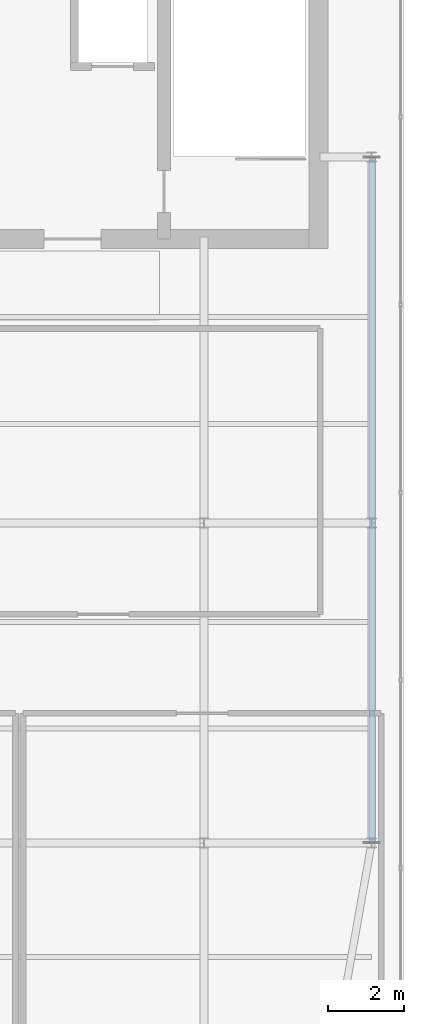
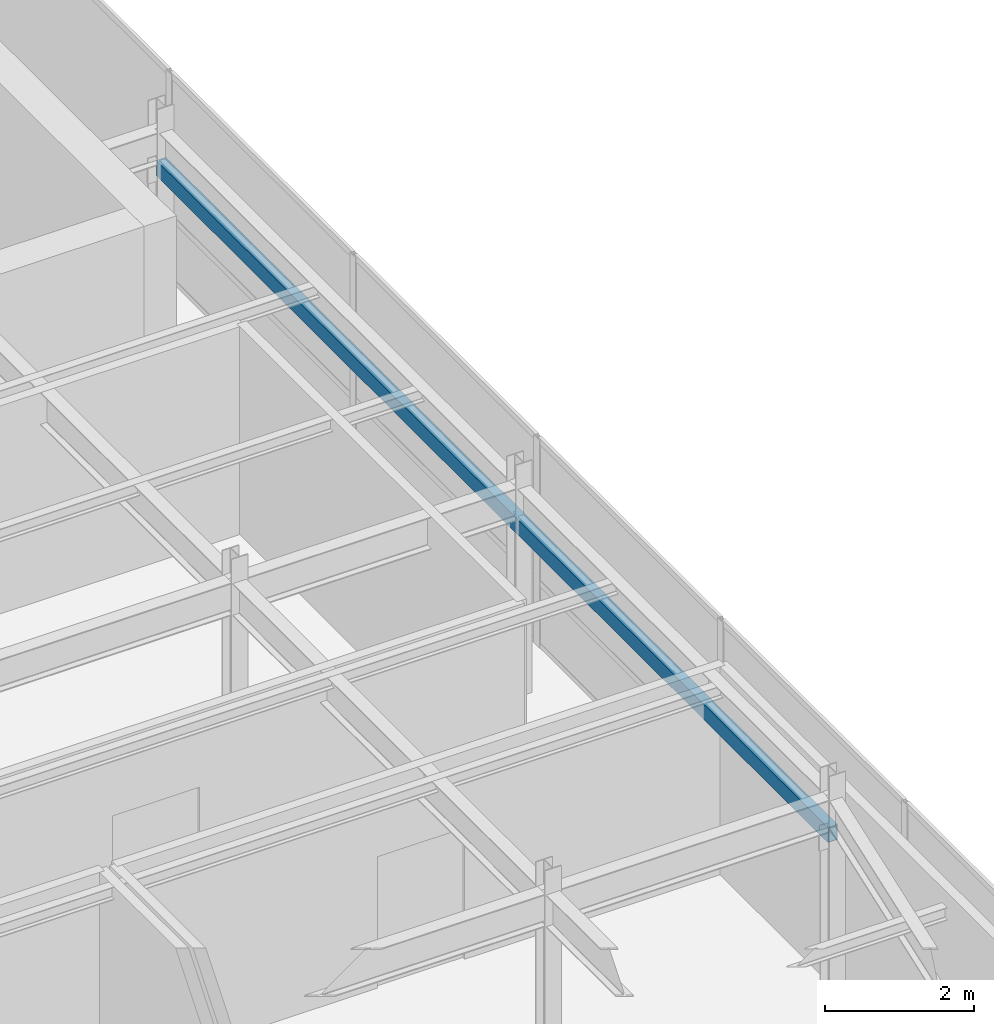
# One storey, part 23 of 35: 1 member.
"""IFC4 building model written with IfcOpenShell, lengths in metres."""

from ifc_helpers import new_model, si_unit, direction, frame, origin, origin_2d, place, context, subcontext, project, spatial, hollow_rectangle, extrude, source, transform, mapped, material, material_profile, profile_set, type_object, type_shapes, element, save


model = new_model("IFC4")

# Units and contexts
model_context = context("Model", 3, precision=1e-05, world=origin(), true_north=direction((0.0, 1.0)))
body_context = subcontext(model_context, "Body", "Model", "MODEL_VIEW")
ifc_project = project(units=[si_unit("LENGTHUNIT", "METRE"), si_unit("AREAUNIT", "SQUARE_METRE"), si_unit("VOLUMEUNIT", "CUBIC_METRE"), si_unit("PLANEANGLEUNIT", "RADIAN"), si_unit("MASSUNIT", "GRAM", prefix="KILO")], contexts=[model_context])

# Site, building, storey
site_placement = place(None, origin())
site = spatial("IfcSite", under=ifc_project, at=site_placement, CompositionType="ELEMENT")
building_placement = place(site_placement, origin())
building = spatial("IfcBuilding", under=site, at=building_placement, Name="Tolvann Quenvar Hotel", CompositionType="ELEMENT")
storey_placement = place(building_placement, frame((0.0, 0.0, 309.949951171875)))
storey = spatial("IfcBuildingStorey", under=building, at=storey_placement, Name="L82", CompositionType="ELEMENT", Elevation=309.949951171875)

# Member
ifc_material = material(Name="Steel Grade 450 (C450L0)", Category="steel")
ifc_material_profile = material_profile(ifc_material, hollow_rectangle(XDim=0.14990234375, YDim=0.25, WallThickness=0.009033203125, at=origin_2d()), Name="250x150x9RHS")
ifc_profile_set = profile_set([ifc_material_profile], Name="Steel Grade 450 (C450L0)")
member_type = type_object("IfcMemberType", Name="MEM_CROWN_250RHS", PredefinedType="USERDEFINED", material=ifc_profile_set)
shared_shape = source(origin(), body_context, "Body", "SweptSolid", [
    extrude(hollow_rectangle(XDim=0.14990234375, YDim=0.25, WallThickness=0.009033203125, at=origin_2d()), origin(), (0.0, 0.0, 1.0), 18.0),
])
type_shapes(member_type, [shared_shape])
member_placement = place(storey_placement, frame((37.14990234375, 16.0, 2.75), z_axis=(0.0, 1.0, 0.0), x_axis=(-1.0, 0.0, 0.0)))
element("IfcMember", 1, at=member_placement, inside=storey, type_object=member_type, Name="Crown Frame Ring Member (L82-3)", ObjectType="CROWN FRAME", PredefinedType="USERDEFINED", context=body_context, shape_type="MappedRepresentation", body=[
    mapped(shared_shape, transform((0.0, 0.0, 0.0), x_axis=(1.0, 0.0, 0.0), y_axis=(0.0, 1.0, 0.0), z_axis=(0.0, 0.0, 1.0), scale=1.0)),
])

save(model, "model.ifc")
